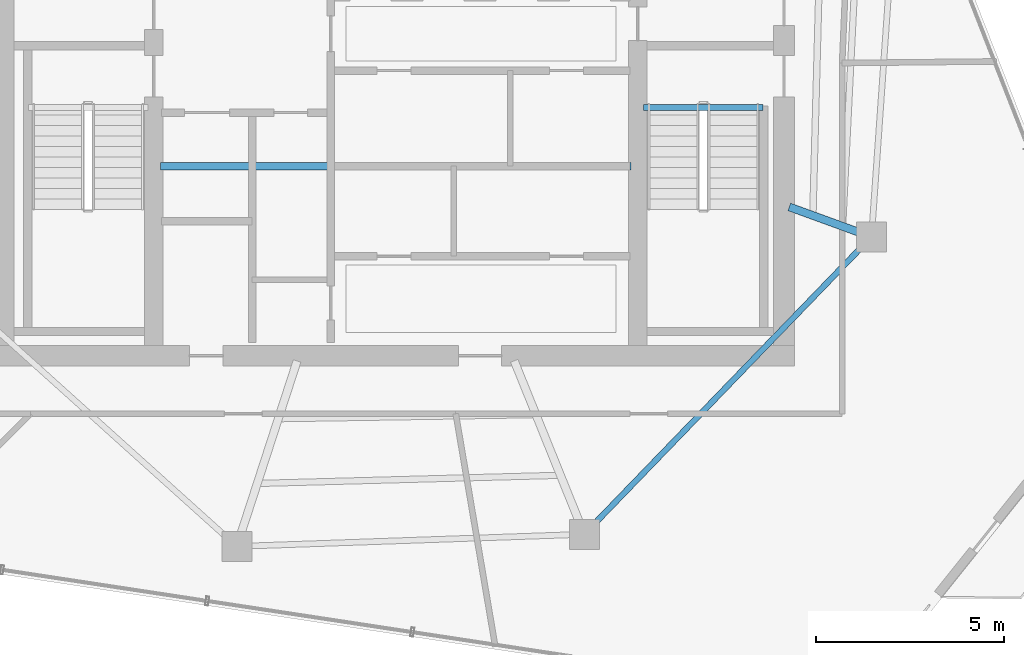
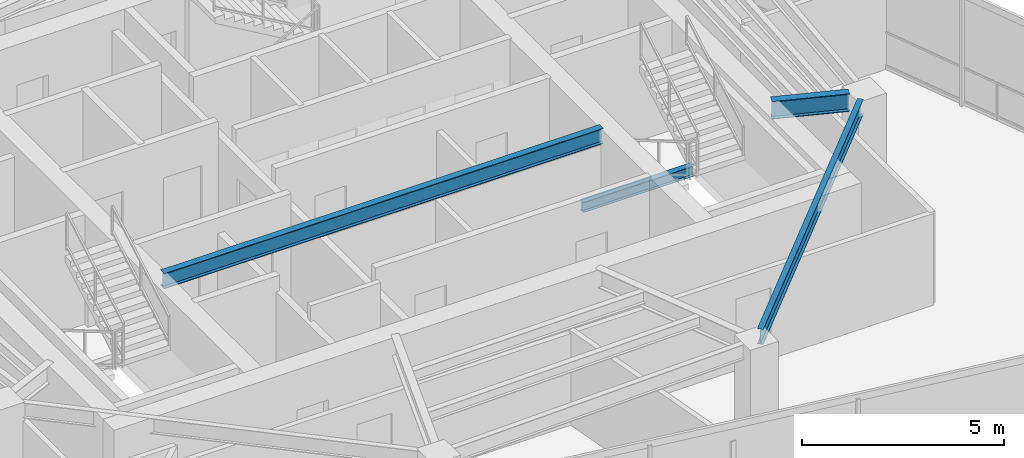
# One storey, part 5 of 19: 4 beams.
"""IFC4 building model written with IfcOpenShell, lengths in metres."""

from ifc_helpers import new_model, si_unit, direction, frame, origin, origin_2d, place, context, subcontext, project, spatial, i_section, extrude, material, material_profile, profile_set, type_object, element, save


model = new_model("IFC4")

# Units and contexts
model_context = context("Model", 3, precision=1e-05, world=origin(), true_north=direction((0.0, 1.0)))
body_context = subcontext(model_context, "Body", "Model", "MODEL_VIEW")
ifc_project = project(units=[si_unit("LENGTHUNIT", "METRE"), si_unit("AREAUNIT", "SQUARE_METRE"), si_unit("VOLUMEUNIT", "CUBIC_METRE"), si_unit("PLANEANGLEUNIT", "RADIAN"), si_unit("MASSUNIT", "GRAM", prefix="KILO")], contexts=[model_context])

# Site, building, storey
site_placement = place(None, origin())
site = spatial("IfcSite", under=ifc_project, at=site_placement, CompositionType="ELEMENT")
building_placement = place(site_placement, origin())
building = spatial("IfcBuilding", under=site, at=building_placement, Name="Qarnah Convention Tower", CompositionType="ELEMENT")
storey_placement = place(building_placement, frame((0.0, 0.0, 260.699951171875)))
storey = spatial("IfcBuildingStorey", under=building, at=storey_placement, Name="L70", CompositionType="ELEMENT", Elevation=260.699951171875)

# Beams
ifc_material = material(Name="Structural steel S355JR", Category="steel")
ifc_material_profile_1 = material_profile(ifc_material, i_section(OverallWidth=0.19189453125, OverallDepth=0.464111328125, WebThickness=0.010986328125, FlangeThickness=0.01806640625, at=origin_2d()), Name="W460X89")
ifc_profile_set_1 = profile_set([ifc_material_profile_1], Name="Structural steel S355JR")
beam_type_1 = type_object("IfcBeamType", Name="BM-CANT-W460A", PredefinedType="BEAM", material=ifc_profile_set_1)
beam_1_placement = place(storey_placement, frame((30.97998046875, 23.64990234375, 3.088134765625), z_axis=(1.0, 0.0, 0.0), x_axis=(0.0, 1.0, 0.0)))
element("IfcBeam", 1, at=beam_1_placement, inside=storey, type_object=beam_type_1, Name="L70 beam BM-L70-KC1", PredefinedType="BEAM", context=body_context, shape_type="SweptSolid", body=[
    extrude(i_section(OverallWidth=0.19189453125, OverallDepth=0.464111328125, WebThickness=0.010986328125, FlangeThickness=0.01806640625, at=origin_2d()), origin(), (0.0, 0.0, 1.0), 12.5400390625),
])
ifc_material_profile_2 = material_profile(ifc_material, i_section(OverallWidth=0.166015625, OverallDepth=0.31201171875, WebThickness=0.007080078125, FlangeThickness=0.010986328125, at=origin_2d()), Name="W310X45")
ifc_profile_set_2 = profile_set([ifc_material_profile_2], Name="Structural steel S355JR")
beam_type_2 = type_object("IfcBeamType", Name="BM-JST-W310", PredefinedType="JOIST", material=ifc_profile_set_2)
beam_2_placement = place(storey_placement, frame((43.860107421875, 25.217041015625, -0.156005859375), z_axis=(1.0, 0.0, 0.0), x_axis=(0.0, 1.0, 0.0)))
element("IfcBeam", 2, at=beam_2_placement, inside=storey, type_object=beam_type_2, Name="L70 stair landing trimmer beam BM-L70-ST2-TRM", PredefinedType="BEAM", context=body_context, shape_type="SweptSolid", body=[
    extrude(i_section(OverallWidth=0.166015625, OverallDepth=0.31201171875, WebThickness=0.007080078125, FlangeThickness=0.010986328125, at=origin_2d()), origin(), (0.0, 0.0, 1.0), 3.179931640625),
])
ifc_material_profile_3 = material_profile(ifc_material, i_section(OverallWidth=0.2119140625, OverallDepth=0.5400390625, WebThickness=0.011962890625, FlangeThickness=0.01904296875, at=origin_2d()), Name="W530X109")
ifc_profile_set_3 = profile_set([ifc_material_profile_3], Name="Structural steel S355JR")
beam_type_3 = type_object("IfcBeamType", Name="BM-RAD-W530A", PredefinedType="BEAM", material=ifc_profile_set_3)
beam_3_placement = place(storey_placement, frame((47.740966796875, 22.56396484375, 3.050048828125), z_axis=(0.93967655832, -0.342064271363, 0.0), x_axis=(0.342064271363, 0.93967655832, 0.0)))
element("IfcBeam", 3, at=beam_3_placement, inside=storey, type_object=beam_type_3, Name="L70 beam BM-L70-RAD-09", PredefinedType="BEAM", context=body_context, shape_type="SweptSolid", body=[
    extrude(i_section(OverallWidth=0.2119140625, OverallDepth=0.5400390625, WebThickness=0.011962890625, FlangeThickness=0.01904296875, at=origin_2d()), origin(), (0.0, 0.0, 1.0), 1.95263671875),
])
ifc_material_profile_4 = material_profile(ifc_material, i_section(OverallWidth=0.154052734375, OverallDepth=0.4599609375, WebThickness=0.009033203125, FlangeThickness=0.014892578125, at=origin_2d()), Name="W460X68")
ifc_profile_set_4 = profile_set([ifc_material_profile_4], Name="Structural steel S355JR")
beam_type_4 = type_object("IfcBeamType", Name="BM-SPN-W460B", PredefinedType="SPANDREL", material=ifc_profile_set_4)
beam_4_placement = place(storey_placement, frame((42.547119140625, 14.117919921875, 3.090087890625), z_axis=(0.694687671008, 0.719311503974, 0.0), x_axis=(-0.719311503974, 0.694687671008, 0.0)))
element("IfcBeam", 4, at=beam_4_placement, inside=storey, type_object=beam_type_4, Name="L70 spandrel BM-L70-SPN-08", PredefinedType="SPANDREL", context=body_context, shape_type="SweptSolid", body=[
    extrude(i_section(OverallWidth=0.154052734375, OverallDepth=0.4599609375, WebThickness=0.009033203125, FlangeThickness=0.014892578125, at=origin_2d()), origin(), (0.0, 0.0, 1.0), 10.241943359375),
])

save(model, "model.ifc")
